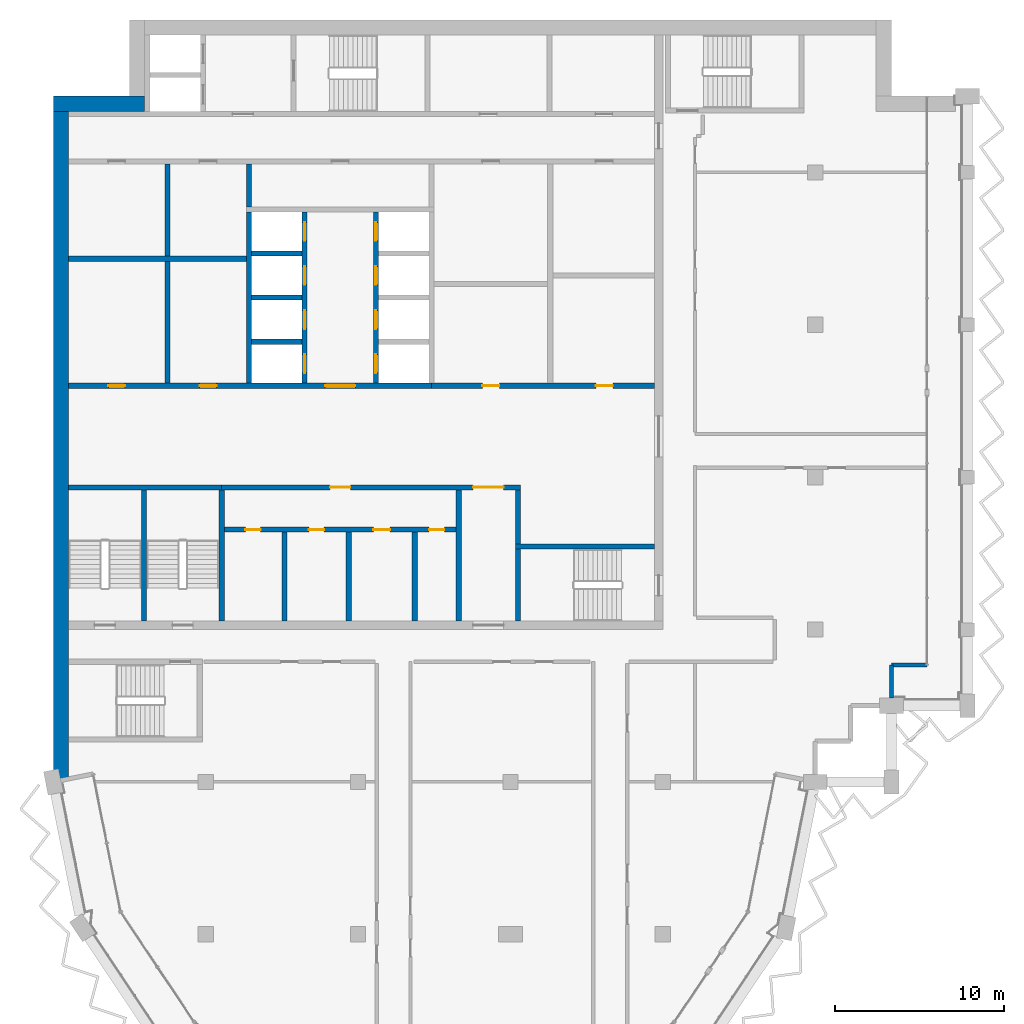
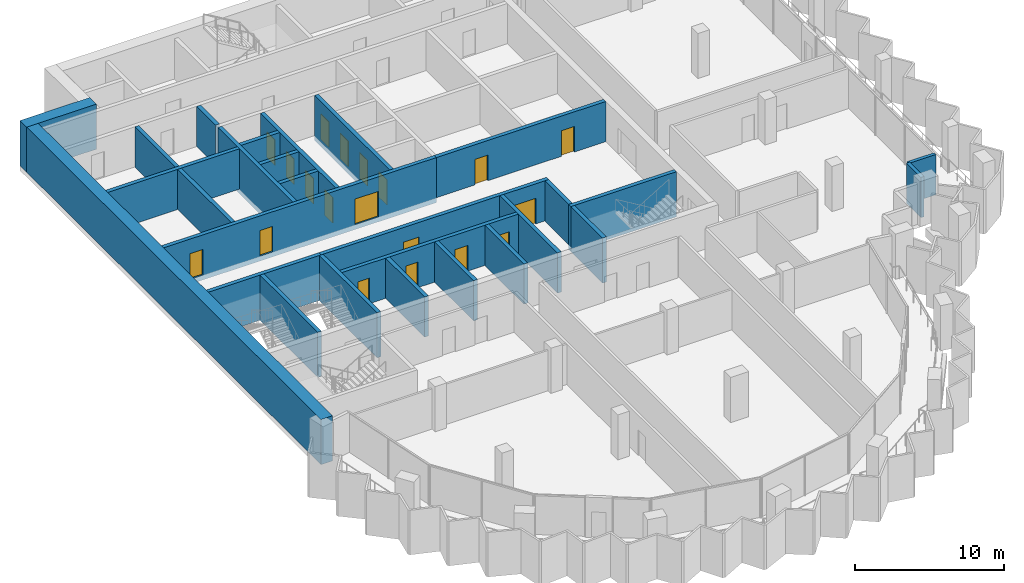
# One storey, part 8 of 14: 27 walls, 19 doors, 19 openings.
"""IFC4 building model written with IfcOpenShell, lengths in metres."""

from ifc_helpers import new_model, si_unit, direction, frame, frame_2d, origin, place, context, subcontext, project, spatial, rectangle, extrude, material, layer, layer_set, type_object, element, fill, save


model = new_model("IFC4")

# Units and contexts
model_context = context("Model", 3, precision=1e-05, world=origin(), true_north=direction((0.0, 1.0)))
body_context = subcontext(model_context, "Body", "Model", "MODEL_VIEW")
ifc_project = project(units=[si_unit("LENGTHUNIT", "METRE"), si_unit("AREAUNIT", "SQUARE_METRE"), si_unit("VOLUMEUNIT", "CUBIC_METRE"), si_unit("PLANEANGLEUNIT", "RADIAN"), si_unit("MASSUNIT", "GRAM", prefix="KILO")], contexts=[model_context])

# Site, building, storey
site_placement = place(None, origin())
site = spatial("IfcSite", under=ifc_project, at=site_placement, CompositionType="ELEMENT")
building_placement = place(site_placement, origin())
building = spatial("IfcBuilding", under=site, at=building_placement, Name="Hunhe Ridgeline Campus", CompositionType="ELEMENT")
storey_placement = place(building_placement, frame((0.0, 0.0, 295.60009765625)))
storey = spatial("IfcBuildingStorey", under=building, at=storey_placement, Name="L76", CompositionType="ELEMENT", Elevation=295.60009765625)

# Wall, openings, doors
ifc_material_1 = material(Name="Masonry concrete blockwork", Category="masonry")
ifc_layer_1 = layer(ifc_material_1, 0.300048828125)
ifc_layer_set_1 = layer_set([ifc_layer_1], Name="Core room partition 300 concrete block")
wall_type_1 = type_object("IfcWallType", Name="Core room partition 300 concrete block", PredefinedType="PARTITIONING", material=ifc_layer_set_1)
wall_1_placement = place(storey_placement, frame((10.10009765625, 68.89990234375, 0.0), z_axis=(0.0, 0.0, 1.0), x_axis=(1.0, 0.0, 0.0)))
wall_1 = element("IfcWall", 1, at=wall_1_placement, inside=storey, type_object=wall_type_1, Name="L76 core partition 5", PredefinedType="PARTITIONING", context=body_context, shape_type="SweptSolid", body=[
    extrude(rectangle(XDim=13.699951171875, YDim=0.300048828125, at=frame_2d((6.85009765625, 0.0))), origin(), (0.0, 0.0, 1.0), 3.2998046875),
])
opening_1_placement = place(wall_1_placement, frame((1.25, 0.0, 0.0)))
opening_1 = element("IfcOpeningElement", 2, at=opening_1_placement, cuts=wall_1, Name="Opening CD8", PredefinedType="OPENING", context=body_context, shape_type="SweptSolid", body=[
    extrude(rectangle(XDim=0.89990234375, YDim=2.10009765625, at=frame_2d((0.449951171875, 1.050048828125))), frame((0.0, 0.14990234375, 0.0), z_axis=(0.0, -1.0, 0.0), x_axis=(1.0, 0.0, 0.0)), (0.0, 0.0, 1.0), 0.300048828125),
])
opening_2_placement = place(wall_1_placement, frame((5.0, 0.0, 0.0)))
opening_2 = element("IfcOpeningElement", 3, at=opening_2_placement, cuts=wall_1, Name="Opening CD9", PredefinedType="OPENING", context=body_context, shape_type="SweptSolid", body=[
    extrude(rectangle(XDim=0.89990234375, YDim=2.10009765625, at=frame_2d((0.449951171875, 1.050048828125))), frame((0.0, 0.14990234375, 0.0), z_axis=(0.0, -1.0, 0.0), x_axis=(1.0, 0.0, 0.0)), (0.0, 0.0, 1.0), 0.300048828125),
])
opening_3_placement = place(wall_1_placement, frame((8.800048828125, 0.0, 0.0)))
opening_3 = element("IfcOpeningElement", 4, at=opening_3_placement, cuts=wall_1, Name="Opening CD10", PredefinedType="OPENING", context=body_context, shape_type="SweptSolid", body=[
    extrude(rectangle(XDim=1.0, YDim=2.10009765625, at=frame_2d((0.5, 1.050048828125))), frame((0.0, 0.14990234375, 0.0), z_axis=(0.0, -1.0, 0.0), x_axis=(1.0, 0.0, 0.0)), (0.0, 0.0, 1.0), 0.300048828125),
])
opening_4_placement = place(wall_1_placement, frame((12.10009765625, 0.0, 0.0)))
opening_4 = element("IfcOpeningElement", 5, at=opening_4_placement, cuts=wall_1, Name="Opening CD11", PredefinedType="OPENING", context=body_context, shape_type="SweptSolid", body=[
    extrude(rectangle(XDim=0.89990234375, YDim=2.10009765625, at=frame_2d((0.449951171875, 1.050048828125))), frame((0.0, 0.14990234375, 0.0), z_axis=(0.0, -1.0, 0.0), x_axis=(1.0, 0.0, 0.0)), (0.0, 0.0, 1.0), 0.300048828125),
])
ifc_material_2 = material(Name="Solid core timber door leaf", Category="wood")
door_type_1 = type_object("IfcDoorType", Name="Timber door 1000x2100", OperationType="SINGLE_SWING_LEFT", PredefinedType="DOOR", material=ifc_material_2)
door_1_placement = place(opening_3_placement, frame((1.0, 0.0, 0.0), z_axis=(0.0, 0.0, 1.0), x_axis=(-1.0, 0.0, 0.0)))
door_1 = element("IfcDoor", 6, at=door_1_placement, inside=storey, type_object=door_type_1, Name="L76 door WC3", OperationType="SINGLE_SWING_LEFT", OverallHeight=2.10009765625, OverallWidth=1.0, PredefinedType="DOOR", context=body_context, shape_type="SweptSolid", body=[
    extrude(rectangle(XDim=1.0, YDim=2.10009765625, at=frame_2d((0.5, 1.050048828125))), frame((0.0, 0.02490234375, 0.0), z_axis=(0.0, -1.0, 0.0), x_axis=(1.0, 0.0, 0.0)), (0.0, 0.0, 1.0), 0.050048828125),
])
fill(opening_3, door_1)
door_type_2 = type_object("IfcDoorType", Name="Timber door 900x2100", OperationType="SINGLE_SWING_LEFT", PredefinedType="DOOR", material=ifc_material_2)
door_2_placement = place(opening_1_placement, frame((0.89990234375, 0.0, 0.0), z_axis=(0.0, 0.0, 1.0), x_axis=(-1.0, 0.0, 0.0)))
door_2 = element("IfcDoor", 7, at=door_2_placement, inside=storey, type_object=door_type_2, Name="L76 door WC1", OperationType="SINGLE_SWING_LEFT", OverallHeight=2.10009765625, OverallWidth=0.89990234375, PredefinedType="DOOR", context=body_context, shape_type="SweptSolid", body=[
    extrude(rectangle(XDim=0.89990234375, YDim=2.10009765625, at=frame_2d((0.449951171875, 1.050048828125))), frame((0.0, 0.02490234375, 0.0), z_axis=(0.0, -1.0, 0.0), x_axis=(1.0, 0.0, 0.0)), (0.0, 0.0, 1.0), 0.050048828125),
])
fill(opening_1, door_2)
door_3_placement = place(opening_2_placement, frame((0.89990234375, 0.0, 0.0), z_axis=(0.0, 0.0, 1.0), x_axis=(-1.0, 0.0, 0.0)))
door_3 = element("IfcDoor", 8, at=door_3_placement, inside=storey, type_object=door_type_2, Name="L76 door WC2", OperationType="SINGLE_SWING_RIGHT", OverallHeight=2.10009765625, OverallWidth=0.89990234375, PredefinedType="DOOR", context=body_context, shape_type="SweptSolid", body=[
    extrude(rectangle(XDim=0.89990234375, YDim=2.10009765625, at=frame_2d((0.449951171875, 1.050048828125))), frame((0.0, 0.02490234375, 0.0), z_axis=(0.0, -1.0, 0.0), x_axis=(1.0, 0.0, 0.0)), (0.0, 0.0, 1.0), 0.050048828125),
])
fill(opening_2, door_3)
door_4_placement = place(opening_4_placement, frame((0.89990234375, 0.0, 0.0), z_axis=(0.0, 0.0, 1.0), x_axis=(-1.0, 0.0, 0.0)))
door_4 = element("IfcDoor", 9, at=door_4_placement, inside=storey, type_object=door_type_2, Name="L76 door WC4", OperationType="SINGLE_SWING_RIGHT", OverallHeight=2.10009765625, OverallWidth=0.89990234375, PredefinedType="DOOR", context=body_context, shape_type="SweptSolid", body=[
    extrude(rectangle(XDim=0.89990234375, YDim=2.10009765625, at=frame_2d((0.449951171875, 1.050048828125))), frame((0.0, 0.02490234375, 0.0), z_axis=(0.0, -1.0, 0.0), x_axis=(1.0, 0.0, 0.0)), (0.0, 0.0, 1.0), 0.050048828125),
])
fill(opening_4, door_4)

wall_2_placement = place(storey_placement, frame((9.949951171875, 71.39990234375, 0.0), z_axis=(0.0, 0.0, 1.0), x_axis=(1.0, 0.0, 0.0)))
wall_2 = element("IfcWall", 10, at=wall_2_placement, inside=storey, type_object=wall_type_1, Name="L76 core partition 7", PredefinedType="PARTITIONING", context=body_context, shape_type="SweptSolid", body=[
    extrude(rectangle(XDim=17.650146484375, YDim=0.300048828125, at=frame_2d((8.8251953125, 0.0))), origin(), (0.0, 0.0, 1.0), 3.2998046875),
])
opening_5_placement = place(wall_2_placement, frame((14.85009765625, 0.0, 0.0)))
opening_5 = element("IfcOpeningElement", 11, at=opening_5_placement, cuts=wall_2, Name="Opening CD7", PredefinedType="OPENING", context=body_context, shape_type="SweptSolid", body=[
    extrude(rectangle(XDim=1.800048828125, YDim=2.10009765625, at=frame_2d((0.89990234375, 1.050048828125))), frame((0.0, 0.14990234375, 0.0), z_axis=(0.0, -1.0, 0.0), x_axis=(1.0, 0.0, 0.0)), (0.0, 0.0, 1.0), 0.300048828125),
])
opening_6_placement = place(wall_2_placement, frame((6.39990234375, 0.0, 0.0)))
opening_6 = element("IfcOpeningElement", 12, at=opening_6_placement, cuts=wall_2, Name="Opening CD37", PredefinedType="OPENING", context=body_context, shape_type="SweptSolid", body=[
    extrude(rectangle(XDim=1.199951171875, YDim=2.10009765625, at=frame_2d((0.60009765625, 1.050048828125))), frame((0.0, 0.14990234375, 0.0), z_axis=(0.0, -1.0, 0.0), x_axis=(1.0, 0.0, 0.0)), (0.0, 0.0, 1.0), 0.300048828125),
])
ifc_material_3 = material(Name="Anodised aluminium and glass", Category="aluminium")
door_type_3 = type_object("IfcDoorType", Name="Glazed double door 1800x2100", OperationType="DOUBLE_DOOR_SINGLE_SWING", PredefinedType="DOOR", material=ifc_material_3)
door_5_placement = place(opening_5_placement, origin())
door_5 = element("IfcDoor", 13, at=door_5_placement, inside=storey, type_object=door_type_3, Name="L76 door VEST-HALL", OperationType="DOUBLE_DOOR_SINGLE_SWING", OverallHeight=2.10009765625, OverallWidth=1.800048828125, PredefinedType="DOOR", context=body_context, shape_type="SweptSolid", body=[
    extrude(rectangle(XDim=1.800048828125, YDim=2.10009765625, at=frame_2d((0.89990234375, 1.050048828125))), frame((0.0, 0.02490234375, 0.0), z_axis=(0.0, -1.0, 0.0), x_axis=(1.0, 0.0, 0.0)), (0.0, 0.0, 1.0), 0.050048828125),
])
fill(opening_5, door_5)
door_type_4 = type_object("IfcDoorType", Name="Timber door 1200x2100", OperationType="SINGLE_SWING_LEFT", PredefinedType="DOOR", material=ifc_material_2)
door_6_placement = place(opening_6_placement, origin())
door_6 = element("IfcDoor", 14, at=door_6_placement, inside=storey, type_object=door_type_4, Name="L76 door WCL1-HALL", OperationType="SINGLE_SWING_RIGHT", OverallHeight=2.10009765625, OverallWidth=1.199951171875, PredefinedType="DOOR", context=body_context, shape_type="SweptSolid", body=[
    extrude(rectangle(XDim=1.199951171875, YDim=2.10009765625, at=frame_2d((0.60009765625, 1.050048828125))), frame((0.0, 0.02490234375, 0.0), z_axis=(0.0, -1.0, 0.0), x_axis=(1.0, 0.0, 0.0)), (0.0, 0.0, 1.0), 0.050048828125),
])
fill(opening_6, door_6)

wall_3_placement = place(storey_placement, frame((22.35009765625, 77.39990234375, 0.0), z_axis=(0.0, 0.0, 1.0), x_axis=(1.0, 0.0, 0.0)))
wall_3 = element("IfcWall", 15, at=wall_3_placement, inside=storey, type_object=wall_type_1, Name="L76 core partition 9", PredefinedType="PARTITIONING", context=body_context, shape_type="SweptSolid", body=[
    extrude(rectangle(XDim=13.14990234375, YDim=0.300048828125, at=frame_2d((6.574951171875, 0.0))), origin(), (0.0, 0.0, 1.0), 3.2998046875),
])
opening_7_placement = place(wall_3_placement, frame((3.0, 0.0, 0.0)))
opening_7 = element("IfcOpeningElement", 16, at=opening_7_placement, cuts=wall_3, Name="Opening CD32", PredefinedType="OPENING", context=body_context, shape_type="SweptSolid", body=[
    extrude(rectangle(XDim=1.0, YDim=2.10009765625, at=frame_2d((0.5, 1.050048828125))), frame((0.0, 0.14990234375, 0.0), z_axis=(0.0, -1.0, 0.0), x_axis=(1.0, 0.0, 0.0)), (0.0, 0.0, 1.0), 0.300048828125),
])
opening_8_placement = place(wall_3_placement, frame((9.699951171875, 0.0, 0.0)))
opening_8 = element("IfcOpeningElement", 17, at=opening_8_placement, cuts=wall_3, Name="Opening CD42", PredefinedType="OPENING", context=body_context, shape_type="SweptSolid", body=[
    extrude(rectangle(XDim=1.0, YDim=2.10009765625, at=frame_2d((0.5, 1.050048828125))), frame((0.0, 0.14990234375, 0.0), z_axis=(0.0, -1.0, 0.0), x_axis=(1.0, 0.0, 0.0)), (0.0, 0.0, 1.0), 0.300048828125),
])
door_7_placement = place(opening_7_placement, origin())
door_7 = element("IfcDoor", 18, at=door_7_placement, inside=storey, type_object=door_type_1, Name="L76 door ES0", OperationType="SINGLE_SWING_RIGHT", OverallHeight=2.10009765625, OverallWidth=1.0, PredefinedType="DOOR", context=body_context, shape_type="SweptSolid", body=[
    extrude(rectangle(XDim=1.0, YDim=2.10009765625, at=frame_2d((0.5, 1.050048828125))), frame((0.0, 0.02490234375, 0.0), z_axis=(0.0, -1.0, 0.0), x_axis=(1.0, 0.0, 0.0)), (0.0, 0.0, 1.0), 0.050048828125),
])
fill(opening_7, door_7)
door_8_placement = place(opening_8_placement, origin())
door_8 = element("IfcDoor", 19, at=door_8_placement, inside=storey, type_object=door_type_1, Name="L76 door ES2", OperationType="SINGLE_SWING_RIGHT", OverallHeight=2.10009765625, OverallWidth=1.0, PredefinedType="DOOR", context=body_context, shape_type="SweptSolid", body=[
    extrude(rectangle(XDim=1.0, YDim=2.10009765625, at=frame_2d((0.5, 1.050048828125))), frame((0.0, 0.02490234375, 0.0), z_axis=(0.0, -1.0, 0.0), x_axis=(1.0, 0.0, 0.0)), (0.0, 0.0, 1.0), 0.050048828125),
])
fill(opening_8, door_8)

# Walls
wall_4_placement = place(storey_placement, frame((0.89990234375, 84.89990234375, 0.0), z_axis=(0.0, 0.0, 1.0), x_axis=(1.0, 0.0, 0.0)))
element("IfcWall", 20, at=wall_4_placement, inside=storey, type_object=wall_type_1, Name="L76 core partition 16", PredefinedType="PARTITIONING", context=body_context, shape_type="SweptSolid", body=[
    extrude(rectangle(XDim=10.5, YDim=0.300048828125, at=frame_2d((5.25, 0.0))), origin(), (0.0, 0.0, 1.0), 3.2998046875),
])
wall_5_placement = place(storey_placement, frame((6.75, 77.550048828125, 0.0), z_axis=(0.0, 0.0, 1.0), x_axis=(0.0, 1.0, 0.0)))
element("IfcWall", 21, at=wall_5_placement, inside=storey, type_object=wall_type_1, Name="L76 core partition 26", PredefinedType="PARTITIONING", context=body_context, shape_type="SweptSolid", body=[
    extrude(rectangle(XDim=12.949951171875, YDim=0.300048828125, at=frame_2d((6.47509765625, 0.0))), origin(), (0.0, 0.0, 1.0), 3.2998046875),
])
wall_6_placement = place(storey_placement, frame((11.550048828125, 87.949951171875, 0.0), z_axis=(0.0, 0.0, 1.0), x_axis=(0.0, 1.0, 0.0)))
element("IfcWall", 22, at=wall_6_placement, inside=storey, type_object=wall_type_1, Name="L76 core partition 31", PredefinedType="PARTITIONING", context=body_context, shape_type="SweptSolid", body=[
    extrude(rectangle(XDim=2.550048828125, YDim=0.300048828125, at=frame_2d((1.27490234375, 0.0))), origin(), (0.0, 0.0, 1.0), 3.2998046875),
])
for number, where, z_axis, x_axis, name in (
    (23, (13.64990234375, 63.5, 0.0), (0.0, 0.0, 1.0), (0.0, 1.0, 0.0), "L76 core partition 32"),
    (24, (17.449951171875, 63.5, 0.0), (0.0, 0.0, 1.0), (0.0, 1.0, 0.0), "L76 core partition 35"),
    (25, (21.35009765625, 63.5, 0.0), (0.0, 0.0, 1.0), (0.0, 1.0, 0.0), "L76 core partition 37"),
):
    element("IfcWall", number, at=place(storey_placement, frame(where, z_axis=z_axis, x_axis=x_axis)), inside=storey, type_object=wall_type_1, Name=name, PredefinedType="PARTITIONING", context=body_context, shape_type="SweptSolid", body=[
        extrude(rectangle(XDim=5.25, YDim=0.300048828125, at=frame_2d((2.625, 0.0))), origin(), (0.0, 0.0, 1.0), 3.2998046875),
    ])
wall_7_placement = place(storey_placement, frame((23.949951171875, 63.5, 0.0), z_axis=(0.0, 0.0, 1.0), x_axis=(0.0, 1.0, 0.0)))
element("IfcWall", 26, at=wall_7_placement, inside=storey, type_object=wall_type_1, Name="L76 core partition 41", PredefinedType="PARTITIONING", context=body_context, shape_type="SweptSolid", body=[
    extrude(rectangle(XDim=7.75, YDim=0.300048828125, at=frame_2d((3.875, 0.0))), origin(), (0.0, 0.0, 1.0), 3.2998046875),
])
wall_8_placement = place(storey_placement, frame((27.449951171875, 68.050048828125, 0.0), z_axis=(0.0, 0.0, 1.0), x_axis=(0.0, 1.0, 0.0)))
element("IfcWall", 27, at=wall_8_placement, inside=storey, type_object=wall_type_1, Name="L76 core partition 43", PredefinedType="PARTITIONING", context=body_context, shape_type="SweptSolid", body=[
    extrude(rectangle(XDim=3.199951171875, YDim=0.300048828125, at=frame_2d((1.60009765625, 0.0))), origin(), (0.0, 0.0, 1.0), 3.2998046875),
])
ifc_material_4 = material(Name="Concrete C30", Category="concrete")
ifc_layer_2 = layer(ifc_material_4, 0.25)
ifc_layer_set_2 = layer_set([ifc_layer_2], Name="Corner return wall 250 Concrete C30")
wall_type_2 = type_object("IfcWallType", Name="Corner return wall 250 Concrete C30", PredefinedType="SOLIDWALL", material=ifc_layer_set_2)
wall_9_placement = place(storey_placement, frame((49.4990234375, 58.949951171875, 0.0), z_axis=(0.0, 0.0, 1.0), x_axis=(0.000250281559, 0.99999996868, 0.0)))
element("IfcWall", 28, at=wall_9_placement, inside=storey, type_object=wall_type_2, Name="Corner return wall 7", PredefinedType="SOLIDWALL", context=body_context, shape_type="SweptSolid", body=[
    extrude(rectangle(XDim=1.950927734375, YDim=0.25, at=frame_2d((0.9755859375, 0.0))), origin(), (0.0, 0.0, 1.0), 3.2998046875),
])
wall_10_placement = place(storey_placement, frame((49.49951171875, 60.90087890625, 0.0), z_axis=(0.0, 0.0, 1.0), x_axis=(1.0, 0.0, 0.0)))
element("IfcWall", 29, at=wall_10_placement, inside=storey, type_object=wall_type_2, Name="Corner return wall 8", PredefinedType="SOLIDWALL", context=body_context, shape_type="SweptSolid", body=[
    extrude(rectangle(XDim=2.099609375, YDim=0.25, at=frame_2d((1.0498046875, 0.0))), origin(), (0.0, 0.0, 1.0), 3.2998046875),
])

# Wall, openings, doors
ifc_material_5 = material(Name="Concrete C50", Category="concrete")
ifc_layer_3 = layer(ifc_material_5, 0.300048828125)
ifc_layer_set_3 = layer_set([ifc_layer_3], Name="Shaft wall 300 reinforced concrete C50")
wall_type_3 = type_object("IfcWallType", Name="Shaft wall 300 reinforced concrete C50", PredefinedType="SOLIDWALL", material=ifc_layer_set_3)
wall_11_placement = place(storey_placement, frame((0.89990234375, 77.39990234375, -0.400146484375), z_axis=(0.0, 0.0, 1.0), x_axis=(1.0, 0.0, 0.0)))
wall_11 = element("IfcWall", 30, at=wall_11_placement, inside=storey, type_object=wall_type_3, Name="L76 core wall 8", PredefinedType="SOLIDWALL", context=body_context, shape_type="SweptSolid", body=[
    extrude(rectangle(XDim=21.4501953125, YDim=0.300048828125, at=frame_2d((10.72509765625, 0.0))), origin(), (0.0, 0.0, 1.0), 3.699951171875),
])
opening_9_placement = place(wall_11_placement, frame((15.14990234375, 0.0, 0.39990234375)))
opening_9 = element("IfcOpeningElement", 31, at=opening_9_placement, cuts=wall_11, Name="Opening CD38", PredefinedType="OPENING", context=body_context, shape_type="SweptSolid", body=[
    extrude(rectangle(XDim=1.800048828125, YDim=2.10009765625, at=frame_2d((0.89990234375, 1.050048828125))), frame((0.0, 0.14990234375, 0.0), z_axis=(0.0, -1.0, 0.0), x_axis=(1.0, 0.0, 0.0)), (0.0, 0.0, 1.0), 0.300048828125),
])
opening_10_placement = place(wall_11_placement, frame((2.35009765625, 0.0, 0.39990234375)))
opening_10 = element("IfcOpeningElement", 32, at=opening_10_placement, cuts=wall_11, Name="Opening CD39", PredefinedType="OPENING", context=body_context, shape_type="SweptSolid", body=[
    extrude(rectangle(XDim=1.0, YDim=2.10009765625, at=frame_2d((0.5, 1.050048828125))), frame((0.0, 0.14990234375, 0.0), z_axis=(0.0, -1.0, 0.0), x_axis=(1.0, 0.0, 0.0)), (0.0, 0.0, 1.0), 0.300048828125),
])
opening_11_placement = place(wall_11_placement, frame((7.75, 0.0, 0.39990234375)))
opening_11 = element("IfcOpeningElement", 33, at=opening_11_placement, cuts=wall_11, Name="Opening CD41", PredefinedType="OPENING", context=body_context, shape_type="SweptSolid", body=[
    extrude(rectangle(XDim=1.0, YDim=2.10009765625, at=frame_2d((0.5, 1.050048828125))), frame((0.0, 0.14990234375, 0.0), z_axis=(0.0, -1.0, 0.0), x_axis=(1.0, 0.0, 0.0)), (0.0, 0.0, 1.0), 0.300048828125),
])
ifc_material_6 = material(Name="Hollow metal fire door leaf")
door_type_5 = type_object("IfcDoorType", Name="Lobby door 1800x2100 FD60", OperationType="SINGLE_SWING_LEFT", PredefinedType="DOOR", material=ifc_material_6)
door_9_placement = place(opening_9_placement, frame((1.800048828125, 0.0, 0.0), z_axis=(0.0, 0.0, 1.0), x_axis=(-1.0, 0.0, 0.0)))
door_9 = element("IfcDoor", 34, at=door_9_placement, inside=storey, type_object=door_type_5, Name="L76 door LOB-HR", OperationType="SINGLE_SWING_RIGHT", OverallHeight=2.10009765625, OverallWidth=1.800048828125, PredefinedType="DOOR", context=body_context, shape_type="SweptSolid", body=[
    extrude(rectangle(XDim=1.800048828125, YDim=2.10009765625, at=frame_2d((0.89990234375, 1.050048828125))), frame((0.0, 0.02490234375, 0.0), z_axis=(0.0, -1.0, 0.0), x_axis=(1.0, 0.0, 0.0)), (0.0, 0.0, 1.0), 0.050048828125),
])
fill(opening_9, door_9)
door_10_placement = place(opening_10_placement, origin())
door_10 = element("IfcDoor", 35, at=door_10_placement, inside=storey, type_object=door_type_1, Name="L76 door VD-LR0", OperationType="SINGLE_SWING_LEFT", OverallHeight=2.10009765625, OverallWidth=1.0, PredefinedType="DOOR", context=body_context, shape_type="SweptSolid", body=[
    extrude(rectangle(XDim=1.0, YDim=2.10009765625, at=frame_2d((0.5, 1.050048828125))), frame((0.0, 0.02490234375, 0.0), z_axis=(0.0, -1.0, 0.0), x_axis=(1.0, 0.0, 0.0)), (0.0, 0.0, 1.0), 0.050048828125),
])
fill(opening_10, door_10)
door_11_placement = place(opening_11_placement, origin())
door_11 = element("IfcDoor", 36, at=door_11_placement, inside=storey, type_object=door_type_1, Name="L76 door VD-LR2", OperationType="SINGLE_SWING_LEFT", OverallHeight=2.10009765625, OverallWidth=1.0, PredefinedType="DOOR", context=body_context, shape_type="SweptSolid", body=[
    extrude(rectangle(XDim=1.0, YDim=2.10009765625, at=frame_2d((0.5, 1.050048828125))), frame((0.0, 0.02490234375, 0.0), z_axis=(0.0, -1.0, 0.0), x_axis=(1.0, 0.0, 0.0)), (0.0, 0.0, 1.0), 0.050048828125),
])
fill(opening_11, door_11)

# Walls
for number, where, z_axis, x_axis, name in (
    (37, (11.699951171875, 80.0, -0.400146484375), (0.0, 0.0, 1.0), (1.0, 0.0, 0.0), "L76 core wall 10"),
    (38, (11.699951171875, 82.60009765625, -0.400146484375), (0.0, 0.0, 1.0), (1.0, 0.0, 0.0), "L76 core wall 12"),
    (39, (11.699951171875, 85.199951171875, -0.400146484375), (0.0, 0.0, 1.0), (1.0, 0.0, 0.0), "L76 core wall 17"),
):
    element("IfcWall", number, at=place(storey_placement, frame(where, z_axis=z_axis, x_axis=x_axis)), inside=storey, type_object=wall_type_3, Name=name, PredefinedType="SOLIDWALL", context=body_context, shape_type="SweptSolid", body=[
        extrude(rectangle(XDim=3.0, YDim=0.300048828125, at=frame_2d((1.5, 0.0))), origin(), (0.0, 0.0, 1.0), 3.699951171875),
    ])
wall_12_placement = place(storey_placement, frame((11.550048828125, 77.550048828125, -0.400146484375), z_axis=(0.0, 0.0, 1.0), x_axis=(0.0, 1.0, 0.0)))
element("IfcWall", 40, at=wall_12_placement, inside=storey, type_object=wall_type_3, Name="L76 core wall 30", PredefinedType="SOLIDWALL", context=body_context, shape_type="SweptSolid", body=[
    extrude(rectangle(XDim=10.099853515625, YDim=0.300048828125, at=frame_2d((5.0498046875, 0.0))), origin(), (0.0, 0.0, 1.0), 3.699951171875),
])

# Wall, openings, doors
wall_13_placement = place(storey_placement, frame((14.85009765625, 77.550048828125, -0.400146484375), z_axis=(0.0, 0.0, 1.0), x_axis=(0.0, 1.0, 0.0)))
wall_13 = element("IfcWall", 41, at=wall_13_placement, inside=storey, type_object=wall_type_3, Name="L76 core wall 34", PredefinedType="SOLIDWALL", context=body_context, shape_type="SweptSolid", body=[
    extrude(rectangle(XDim=10.099853515625, YDim=0.300048828125, at=frame_2d((5.0498046875, 0.0))), origin(), (0.0, 0.0, 1.0), 3.699951171875),
])
opening_12_placement = place(wall_13_placement, frame((0.60009765625, 0.0, 0.39990234375)))
opening_12 = element("IfcOpeningElement", 42, at=opening_12_placement, cuts=wall_13, Name="Opening LD-HR1", PredefinedType="OPENING", context=body_context, shape_type="SweptSolid", body=[
    extrude(rectangle(XDim=1.10009765625, YDim=2.10009765625, at=frame_2d((0.550048828125, 1.050048828125))), frame((0.0, 0.14990234375, 0.0), z_axis=(0.0, -1.0, 0.0), x_axis=(1.0, 0.0, 0.0)), (0.0, 0.0, 1.0), 0.300048828125),
])
opening_13_placement = place(wall_13_placement, frame((3.199951171875, 0.0, 0.39990234375)))
opening_13 = element("IfcOpeningElement", 43, at=opening_13_placement, cuts=wall_13, Name="Opening LD-HR2", PredefinedType="OPENING", context=body_context, shape_type="SweptSolid", body=[
    extrude(rectangle(XDim=1.10009765625, YDim=2.10009765625, at=frame_2d((0.550048828125, 1.050048828125))), frame((0.0, 0.14990234375, 0.0), z_axis=(0.0, -1.0, 0.0), x_axis=(1.0, 0.0, 0.0)), (0.0, 0.0, 1.0), 0.300048828125),
])
opening_14_placement = place(wall_13_placement, frame((5.800048828125, 0.0, 0.39990234375)))
opening_14 = element("IfcOpeningElement", 44, at=opening_14_placement, cuts=wall_13, Name="Opening LD-HR3", PredefinedType="OPENING", context=body_context, shape_type="SweptSolid", body=[
    extrude(rectangle(XDim=1.10009765625, YDim=2.10009765625, at=frame_2d((0.550048828125, 1.050048828125))), frame((0.0, 0.14990234375, 0.0), z_axis=(0.0, -1.0, 0.0), x_axis=(1.0, 0.0, 0.0)), (0.0, 0.0, 1.0), 0.300048828125),
])
opening_15_placement = place(wall_13_placement, frame((8.39990234375, 0.0, 0.39990234375)))
opening_15 = element("IfcOpeningElement", 45, at=opening_15_placement, cuts=wall_13, Name="Opening LD-HR4", PredefinedType="OPENING", context=body_context, shape_type="SweptSolid", body=[
    extrude(rectangle(XDim=1.10009765625, YDim=2.10009765625, at=frame_2d((0.550048828125, 1.050048828125))), frame((0.0, 0.14990234375, 0.0), z_axis=(0.0, -1.0, 0.0), x_axis=(1.0, 0.0, 0.0)), (0.0, 0.0, 1.0), 0.300048828125),
])
ifc_material_7 = material(Name="Stainless steel sliding leaves", Category="steel")
door_type_6 = type_object("IfcDoorType", Name="Landing door 1100x2100 FD120", OperationType="SLIDING_TO_LEFT", PredefinedType="DOOR", material=ifc_material_7)
door_12_placement = place(opening_12_placement, origin())
door_12 = element("IfcDoor", 46, at=door_12_placement, inside=storey, type_object=door_type_6, Name="L76 landing door HR1", OperationType="SLIDING_TO_RIGHT", OverallHeight=2.10009765625, OverallWidth=1.10009765625, PredefinedType="DOOR", context=body_context, shape_type="SweptSolid", body=[
    extrude(rectangle(XDim=1.10009765625, YDim=2.10009765625, at=frame_2d((0.550048828125, 1.050048828125))), frame((0.0, 0.02490234375, 0.0), z_axis=(0.0, -1.0, 0.0), x_axis=(1.0, 0.0, 0.0)), (0.0, 0.0, 1.0), 0.050048828125),
])
fill(opening_12, door_12)
door_13_placement = place(opening_13_placement, origin())
door_13 = element("IfcDoor", 47, at=door_13_placement, inside=storey, type_object=door_type_6, Name="L76 landing door HR2", OperationType="SLIDING_TO_LEFT", OverallHeight=2.10009765625, OverallWidth=1.10009765625, PredefinedType="DOOR", context=body_context, shape_type="SweptSolid", body=[
    extrude(rectangle(XDim=1.10009765625, YDim=2.10009765625, at=frame_2d((0.550048828125, 1.050048828125))), frame((0.0, 0.02490234375, 0.0), z_axis=(0.0, -1.0, 0.0), x_axis=(1.0, 0.0, 0.0)), (0.0, 0.0, 1.0), 0.050048828125),
])
fill(opening_13, door_13)
door_14_placement = place(opening_14_placement, origin())
door_14 = element("IfcDoor", 48, at=door_14_placement, inside=storey, type_object=door_type_6, Name="L76 landing door HR3", OperationType="SLIDING_TO_RIGHT", OverallHeight=2.10009765625, OverallWidth=1.10009765625, PredefinedType="DOOR", context=body_context, shape_type="SweptSolid", body=[
    extrude(rectangle(XDim=1.10009765625, YDim=2.10009765625, at=frame_2d((0.550048828125, 1.050048828125))), frame((0.0, 0.02490234375, 0.0), z_axis=(0.0, -1.0, 0.0), x_axis=(1.0, 0.0, 0.0)), (0.0, 0.0, 1.0), 0.050048828125),
])
fill(opening_14, door_14)
door_15_placement = place(opening_15_placement, origin())
door_15 = element("IfcDoor", 49, at=door_15_placement, inside=storey, type_object=door_type_6, Name="L76 landing door HR4", OperationType="SLIDING_TO_LEFT", OverallHeight=2.10009765625, OverallWidth=1.10009765625, PredefinedType="DOOR", context=body_context, shape_type="SweptSolid", body=[
    extrude(rectangle(XDim=1.10009765625, YDim=2.10009765625, at=frame_2d((0.550048828125, 1.050048828125))), frame((0.0, 0.02490234375, 0.0), z_axis=(0.0, -1.0, 0.0), x_axis=(1.0, 0.0, 0.0)), (0.0, 0.0, 1.0), 0.050048828125),
])
fill(opening_15, door_15)

wall_14_placement = place(storey_placement, frame((19.050048828125, 77.550048828125, -0.400146484375), z_axis=(0.0, 0.0, 1.0), x_axis=(0.0, 1.0, 0.0)))
wall_14 = element("IfcWall", 50, at=wall_14_placement, inside=storey, type_object=wall_type_3, Name="L76 core wall 36", PredefinedType="SOLIDWALL", context=body_context, shape_type="SweptSolid", body=[
    extrude(rectangle(XDim=10.099853515625, YDim=0.300048828125, at=frame_2d((5.0498046875, 0.0))), origin(), (0.0, 0.0, 1.0), 3.699951171875),
])
opening_16_placement = place(wall_14_placement, frame((0.60009765625, 0.0, 0.39990234375)))
opening_16 = element("IfcOpeningElement", 51, at=opening_16_placement, cuts=wall_14, Name="Opening LD-HR5", PredefinedType="OPENING", context=body_context, shape_type="SweptSolid", body=[
    extrude(rectangle(XDim=1.10009765625, YDim=2.10009765625, at=frame_2d((0.550048828125, 1.050048828125))), frame((0.0, 0.14990234375, 0.0), z_axis=(0.0, -1.0, 0.0), x_axis=(1.0, 0.0, 0.0)), (0.0, 0.0, 1.0), 0.300048828125),
])
opening_17_placement = place(wall_14_placement, frame((3.199951171875, 0.0, 0.39990234375)))
opening_17 = element("IfcOpeningElement", 52, at=opening_17_placement, cuts=wall_14, Name="Opening LD-HR6", PredefinedType="OPENING", context=body_context, shape_type="SweptSolid", body=[
    extrude(rectangle(XDim=1.10009765625, YDim=2.10009765625, at=frame_2d((0.550048828125, 1.050048828125))), frame((0.0, 0.14990234375, 0.0), z_axis=(0.0, -1.0, 0.0), x_axis=(1.0, 0.0, 0.0)), (0.0, 0.0, 1.0), 0.300048828125),
])
opening_18_placement = place(wall_14_placement, frame((5.800048828125, 0.0, 0.39990234375)))
opening_18 = element("IfcOpeningElement", 53, at=opening_18_placement, cuts=wall_14, Name="Opening LD-HR7", PredefinedType="OPENING", context=body_context, shape_type="SweptSolid", body=[
    extrude(rectangle(XDim=1.10009765625, YDim=2.10009765625, at=frame_2d((0.550048828125, 1.050048828125))), frame((0.0, 0.14990234375, 0.0), z_axis=(0.0, -1.0, 0.0), x_axis=(1.0, 0.0, 0.0)), (0.0, 0.0, 1.0), 0.300048828125),
])
opening_19_placement = place(wall_14_placement, frame((8.39990234375, 0.0, 0.39990234375)))
opening_19 = element("IfcOpeningElement", 54, at=opening_19_placement, cuts=wall_14, Name="Opening LD-HR8", PredefinedType="OPENING", context=body_context, shape_type="SweptSolid", body=[
    extrude(rectangle(XDim=1.10009765625, YDim=2.10009765625, at=frame_2d((0.550048828125, 1.050048828125))), frame((0.0, 0.14990234375, 0.0), z_axis=(0.0, -1.0, 0.0), x_axis=(1.0, 0.0, 0.0)), (0.0, 0.0, 1.0), 0.300048828125),
])
door_16_placement = place(opening_16_placement, origin())
door_16 = element("IfcDoor", 55, at=door_16_placement, inside=storey, type_object=door_type_6, Name="L76 landing door HR5", OperationType="SLIDING_TO_RIGHT", OverallHeight=2.10009765625, OverallWidth=1.10009765625, PredefinedType="DOOR", context=body_context, shape_type="SweptSolid", body=[
    extrude(rectangle(XDim=1.10009765625, YDim=2.10009765625, at=frame_2d((0.550048828125, 1.050048828125))), frame((0.0, 0.02490234375, 0.0), z_axis=(0.0, -1.0, 0.0), x_axis=(1.0, 0.0, 0.0)), (0.0, 0.0, 1.0), 0.050048828125),
])
fill(opening_16, door_16)
door_17_placement = place(opening_17_placement, origin())
door_17 = element("IfcDoor", 56, at=door_17_placement, inside=storey, type_object=door_type_6, Name="L76 landing door HR6", OperationType="SLIDING_TO_LEFT", OverallHeight=2.10009765625, OverallWidth=1.10009765625, PredefinedType="DOOR", context=body_context, shape_type="SweptSolid", body=[
    extrude(rectangle(XDim=1.10009765625, YDim=2.10009765625, at=frame_2d((0.550048828125, 1.050048828125))), frame((0.0, 0.02490234375, 0.0), z_axis=(0.0, -1.0, 0.0), x_axis=(1.0, 0.0, 0.0)), (0.0, 0.0, 1.0), 0.050048828125),
])
fill(opening_17, door_17)
door_18_placement = place(opening_18_placement, origin())
door_18 = element("IfcDoor", 57, at=door_18_placement, inside=storey, type_object=door_type_6, Name="L76 landing door HR7", OperationType="SLIDING_TO_RIGHT", OverallHeight=2.10009765625, OverallWidth=1.10009765625, PredefinedType="DOOR", context=body_context, shape_type="SweptSolid", body=[
    extrude(rectangle(XDim=1.10009765625, YDim=2.10009765625, at=frame_2d((0.550048828125, 1.050048828125))), frame((0.0, 0.02490234375, 0.0), z_axis=(0.0, -1.0, 0.0), x_axis=(1.0, 0.0, 0.0)), (0.0, 0.0, 1.0), 0.050048828125),
])
fill(opening_18, door_18)
door_19_placement = place(opening_19_placement, origin())
door_19 = element("IfcDoor", 58, at=door_19_placement, inside=storey, type_object=door_type_6, Name="L76 landing door HR8", OperationType="SLIDING_TO_LEFT", OverallHeight=2.10009765625, OverallWidth=1.10009765625, PredefinedType="DOOR", context=body_context, shape_type="SweptSolid", body=[
    extrude(rectangle(XDim=1.10009765625, YDim=2.10009765625, at=frame_2d((0.550048828125, 1.050048828125))), frame((0.0, 0.02490234375, 0.0), z_axis=(0.0, -1.0, 0.0), x_axis=(1.0, 0.0, 0.0)), (0.0, 0.0, 1.0), 0.050048828125),
])
fill(opening_19, door_19)

# Walls
ifc_layer_4 = layer(ifc_material_5, 0.89990234375)
ifc_layer_set_4 = layer_set([ifc_layer_4], Name="Spine wall 900 Concrete C50")
wall_type_4 = type_object("IfcWallType", Name="Spine wall 900 Concrete C50", PredefinedType="SHEAR", material=ifc_layer_set_4)
wall_15_placement = place(storey_placement, frame((0.449951171875, 94.5, 0.0), z_axis=(0.0, 0.0, 1.0), x_axis=(0.0, -1.0, 0.0)))
element("IfcWall", 59, at=wall_15_placement, inside=storey, type_object=wall_type_4, Name="Spine wall SW4-1 L76", PredefinedType="SHEAR", context=body_context, shape_type="SweptSolid", body=[
    extrude(rectangle(XDim=40.45556640625, YDim=0.89990234375, at=frame_2d((20.227783203125, 0.0))), origin(), (0.0, 0.0, 1.0), 3.699951171875),
])
wall_16_placement = place(storey_placement, frame((5.400146484375, 94.050048828125, 0.0), z_axis=(0.0, 0.0, 1.0), x_axis=(-1.0, 0.0, 0.0)))
element("IfcWall", 60, at=wall_16_placement, inside=storey, type_object=wall_type_4, Name="Spine wall SW4-6 L76", PredefinedType="SHEAR", context=body_context, shape_type="SweptSolid", body=[
    extrude(rectangle(XDim=5.400146484375, YDim=0.89990234375, at=frame_2d((2.7001953125, 0.0))), origin(), (0.0, 0.0, 1.0), 3.699951171875),
])
ifc_layer_5 = layer(ifc_material_5, 0.300048828125)
ifc_layer_set_5 = layer_set([ifc_layer_5], Name="Stair wall 300 reinforced concrete C50")
wall_type_5 = type_object("IfcWallType", Name="Stair wall 300 reinforced concrete C50", PredefinedType="SOLIDWALL", material=ifc_layer_set_5)
wall_17_placement = place(storey_placement, frame((27.300048828125, 67.89990234375, -0.400146484375), z_axis=(0.0, 0.0, 1.0), x_axis=(1.0, 0.0, 0.0)))
element("IfcWall", 61, at=wall_17_placement, inside=storey, type_object=wall_type_5, Name="L76 core wall 4", PredefinedType="SOLIDWALL", context=body_context, shape_type="SweptSolid", body=[
    extrude(rectangle(XDim=8.199951171875, YDim=0.300048828125, at=frame_2d((4.10009765625, 0.0))), origin(), (0.0, 0.0, 1.0), 3.699951171875),
])
wall_18_placement = place(storey_placement, frame((0.89990234375, 71.39990234375, -0.400146484375), z_axis=(0.0, 0.0, 1.0), x_axis=(1.0, 0.0, 0.0)))
element("IfcWall", 62, at=wall_18_placement, inside=storey, type_object=wall_type_5, Name="L76 core wall 6", PredefinedType="SOLIDWALL", context=body_context, shape_type="SweptSolid", body=[
    extrude(rectangle(XDim=9.050048828125, YDim=0.300048828125, at=frame_2d((4.52490234375, 0.0))), origin(), (0.0, 0.0, 1.0), 3.699951171875),
])
for number, where, z_axis, x_axis, name in (
    (63, (5.35009765625, 63.5, -0.400146484375), (0.0, 0.0, 1.0), (0.0, 1.0, 0.0), "L76 core wall 24"),
    (64, (9.949951171875, 63.5, -0.400146484375), (0.0, 0.0, 1.0), (0.0, 1.0, 0.0), "L76 core wall 29"),
):
    element("IfcWall", number, at=place(storey_placement, frame(where, z_axis=z_axis, x_axis=x_axis)), inside=storey, type_object=wall_type_5, Name=name, PredefinedType="SOLIDWALL", context=body_context, shape_type="SweptSolid", body=[
        extrude(rectangle(XDim=7.75, YDim=0.300048828125, at=frame_2d((3.875, 0.0))), origin(), (0.0, 0.0, 1.0), 3.699951171875),
    ])
wall_19_placement = place(storey_placement, frame((27.449951171875, 63.5, -0.400146484375), z_axis=(0.0, 0.0, 1.0), x_axis=(0.0, 1.0, 0.0)))
element("IfcWall", 65, at=wall_19_placement, inside=storey, type_object=wall_type_5, Name="L76 core wall 42", PredefinedType="SOLIDWALL", context=body_context, shape_type="SweptSolid", body=[
    extrude(rectangle(XDim=4.25, YDim=0.300048828125, at=frame_2d((2.125, 0.0))), origin(), (0.0, 0.0, 1.0), 3.699951171875),
])

save(model, "model.ifc")
